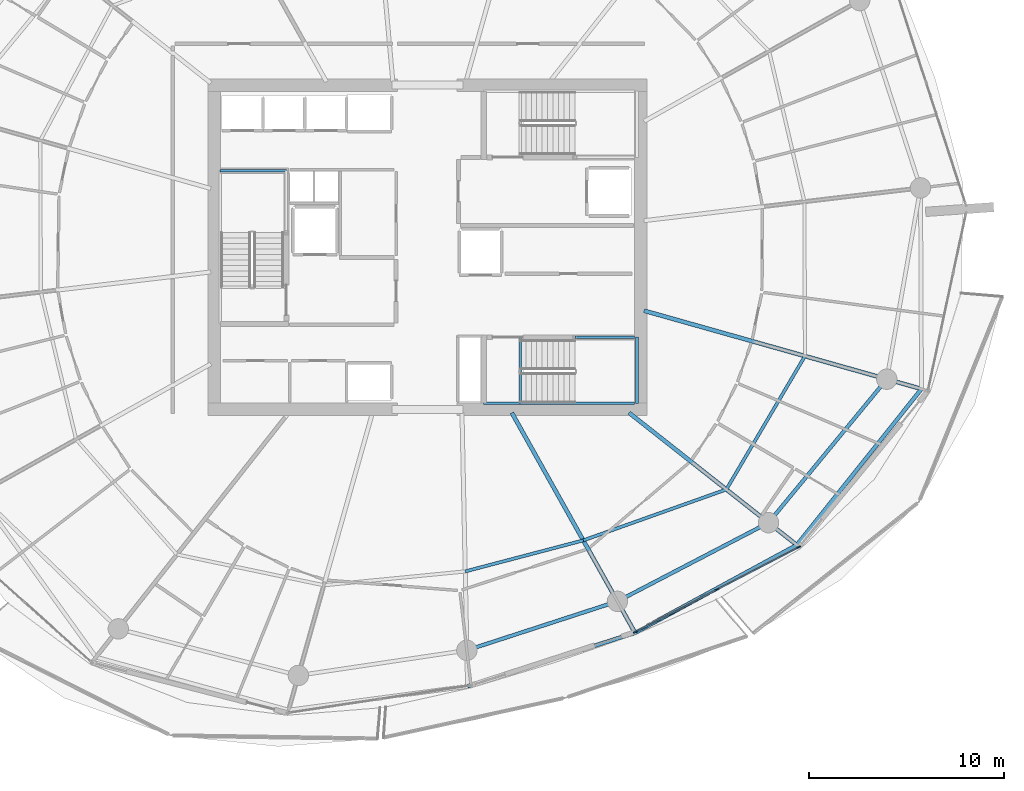
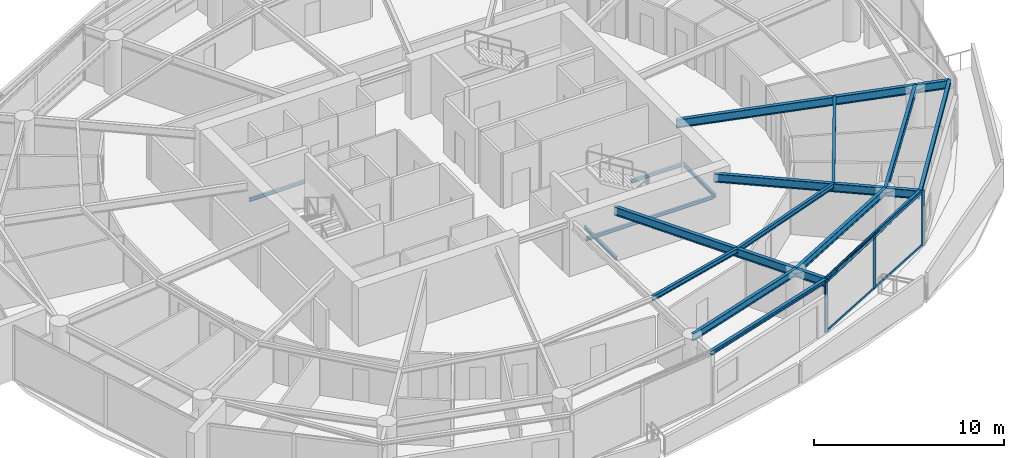
# One storey, part 6 of 20: 17 beams, 7 members, 1 element without a shape of its own.
"""IFC4 building model written with IfcOpenShell, lengths in metres."""

import ifcopenshell
import ifcopenshell.guid

model = None  # the IFC model being written
_history = None  # IfcOwnerHistory: only IFC2X3 demands one
_inside = {}  # id of a spatial element -> (the spatial element, [elements in it])
_under = {}  # id of a project, library or spatial element -> (it, [spatial elements below it])
_declared = {}  # id of a project -> (the project, [libraries it declares])
_typed = {}  # id of a type object -> (the type object, [elements of that type])
_made_of = {}  # id of a material, layer set ... -> (it, [elements and type objects made of it])


def new_model(schema):
    """Start an empty IFC model of exactly this schema.

    Asked for "IFC4X3", IfcOpenShell would pick the latest addendum, in which some entities
    have other attributes; the version numbers below select the first issue.
    IFC2X3 requires an IfcOwnerHistory on every rooted entity: one is made here for all.
    """
    global model, _history
    if schema == "IFC4X3":
        model = ifcopenshell.file(schema_version=(4, 3, 0, 0))
    else:
        model = ifcopenshell.file(schema=schema)
    _inside.clear()
    _under.clear()
    _declared.clear()
    _typed.clear()
    _made_of.clear()
    _history = None
    if model.schema == "IFC2X3":
        org = make("IfcOrganization", Name="unknown")
        user = make(
            "IfcPersonAndOrganization",
            ThePerson=make("IfcPerson", FamilyName="unknown"),
            TheOrganization=org,
        )
        app = make(
            "IfcApplication",
            ApplicationDeveloper=org,
            Version="unknown",
            ApplicationFullName="unknown",
            ApplicationIdentifier="unknown",
        )
        _history = make(
            "IfcOwnerHistory",
            OwningUser=user,
            OwningApplication=app,
            ChangeAction="ADDED",
            CreationDate=0,
        )
    return model


def make(cls, **values):
    """One entity of the class cls with the attributes given. An attribute that is None is left unset."""
    return model.create_entity(
        cls, **{name: value for name, value in values.items() if value is not None}
    )


def rooted(cls, **values):
    """An entity with a GlobalId (a new one), such as an element, a storey or a relation."""
    return make(cls, GlobalId=ifcopenshell.guid.new(), OwnerHistory=_history, **values)


def si_unit(unit_type, name, prefix=None):
    """IfcSIUnit, for example si_unit("LENGTHUNIT", "METRE", prefix="MILLI")."""
    return make("IfcSIUnit", UnitType=unit_type, Prefix=prefix, Name=name)


def assignment(units):
    """IfcUnitAssignment: the units of a project."""
    return None if units is None else make("IfcUnitAssignment", Units=units)


def point(xyz):
    """IfcCartesianPoint."""
    return None if xyz is None else make("IfcCartesianPoint", Coordinates=xyz)


def direction(xyz):
    """IfcDirection."""
    return None if xyz is None else make("IfcDirection", DirectionRatios=xyz)


def frame(location, z_axis=None, x_axis=None):
    """IfcAxis2Placement3D, a coordinate frame: its origin and axes. An axis left out is left unset."""
    return make(
        "IfcAxis2Placement3D",
        Location=point(location),
        Axis=direction(z_axis),
        RefDirection=direction(x_axis),
    )


def frame_2d(location, x_axis=None):
    """IfcAxis2Placement2D, a coordinate frame in the plane: its origin and x axis."""
    return make(
        "IfcAxis2Placement2D", Location=point(location), RefDirection=direction(x_axis)
    )


def origin():
    """The frame at (0, 0, 0) with its axes left unset."""
    return frame((0.0, 0.0, 0.0))


def origin_2d():
    """The frame at (0, 0) in the plane with its x axis left unset."""
    return frame_2d((0.0, 0.0))


def place(relative_to, where):
    """IfcLocalPlacement: puts the frame where relative to a parent placement (None: the world)."""
    return make(
        "IfcLocalPlacement", PlacementRelTo=relative_to, RelativePlacement=where
    )


def context(
    kind, dimensions, precision=None, world=None, true_north=None, identifier=None
):
    """IfcGeometricRepresentationContext, for example the 3D "Model" context."""
    return make(
        "IfcGeometricRepresentationContext",
        ContextIdentifier=identifier,
        ContextType=kind,
        CoordinateSpaceDimension=dimensions,
        Precision=precision,
        WorldCoordinateSystem=world,
        TrueNorth=true_north,
    )


def subcontext(parent, identifier, kind, view, scale=None):
    """IfcGeometricRepresentationSubContext, for example "Body" below "Model"."""
    return make(
        "IfcGeometricRepresentationSubContext",
        ContextIdentifier=identifier,
        ContextType=kind,
        ParentContext=parent,
        TargetScale=scale,
        TargetView=view,
    )


def project(units=None, contexts=None):
    """IfcProject with its units and contexts."""
    return rooted(
        "IfcProject",
        Name="project",
        RepresentationContexts=contexts,
        UnitsInContext=assignment(units),
    )


def spatial(cls, under=None, at=None, **own):
    """A site, building, storey or space (cls), placed at a placement, below another one or the project."""
    s = rooted(cls, ObjectPlacement=at, **own)
    if under is not None:
        _under.setdefault(under.id(), (under, []))[1].append(s)
    return s


def profile(cls, at=None, kind="AREA", **sizes):
    """A parametric profile (cls). Its sizes go by their IFC names, for example OverallWidth=200.0."""
    return make(cls, ProfileType=kind, Position=at, **sizes)


def rectangle(**sizes):
    """IfcRectangleProfileDef."""
    return profile("IfcRectangleProfileDef", **sizes)


def i_section(**sizes):
    """IfcIShapeProfileDef."""
    return profile("IfcIShapeProfileDef", **sizes)


def extrude(swept, where, along, depth):
    """IfcExtrudedAreaSolid: the profile swept, set in the frame where, extruded along a direction by depth."""
    return make(
        "IfcExtrudedAreaSolid",
        SweptArea=swept,
        Position=where,
        ExtrudedDirection=direction(along),
        Depth=depth,
    )


def shape(context_of_items, identifier, shape_type, items):
    """IfcShapeRepresentation: the items that make up one representation, for example the "Body"."""
    return make(
        "IfcShapeRepresentation",
        ContextOfItems=context_of_items,
        RepresentationIdentifier=identifier,
        RepresentationType=shape_type,
        Items=items,
    )


def material(Name=None, Category=None):
    """IfcMaterial."""
    return make("IfcMaterial", Name=Name, Category=Category)


def layer(
    of_material, thickness, ventilated=None, Name=None, Category=None, Priority=None
):
    """IfcMaterialLayer: one layer of a wall or slab, of a material (None: an air gap)."""
    return make(
        "IfcMaterialLayer",
        Material=of_material,
        LayerThickness=thickness,
        IsVentilated=ventilated,
        Name=Name,
        Category=Category,
        Priority=Priority,
    )


def layer_set(layers, Name=None):
    """IfcMaterialLayerSet."""
    return make("IfcMaterialLayerSet", MaterialLayers=layers, LayerSetName=Name)


def material_profile(
    of_material, cross_section, Name=None, Category=None, Priority=None
):
    """IfcMaterialProfile: a cross section and its material."""
    return make(
        "IfcMaterialProfile",
        Name=Name,
        Material=of_material,
        Profile=cross_section,
        Priority=Priority,
        Category=Category,
    )


def profile_set(profiles, Name=None, composite=None):
    """IfcMaterialProfileSet."""
    return make(
        "IfcMaterialProfileSet",
        Name=Name,
        MaterialProfiles=profiles,
        CompositeProfile=composite,
    )


def made_of(thing, what):
    """Note that an element or type object is made of a material, layer set ...; save() writes the relation."""
    if what is not None:
        _made_of.setdefault(what.id(), (what, []))[1].append(thing)
    return thing


def type_object(cls, material=None, **own):
    """A type object (cls), such as IfcWallType, which elements share."""
    return made_of(rooted(cls, **own), material)


def element(
    cls,
    number,
    at=None,
    inside=None,
    cuts=None,
    type_object=None,
    material=None,
    context=None,
    identifier="Body",
    shape_type=None,
    held_by="IfcProductDefinitionShape",
    body=None,
    shapes=None,
    **own,
):
    """One element of the class cls, such as IfcWall. Its Tag is "e" and its number.

    at: its placement. inside: the storey or other place that contains it. cuts: it is an
    opening in that element (IfcRelVoidsElement). A single representation is given by context,
    identifier, shape_type and body (its items); several are given by shapes. held_by: the class
    of the entity that holds the representations. save() writes the other relations.
    """
    e = rooted(cls, Tag="e%d" % number, ObjectPlacement=at, **own)
    if body is not None:
        shapes = [shape(context, identifier, shape_type, body)]
    if shapes is not None:
        e.Representation = make(held_by, Representations=shapes)
    if inside is not None:
        _inside.setdefault(inside.id(), (inside, []))[1].append(e)
    if cuts is not None:
        rooted(
            "IfcRelVoidsElement", RelatingBuildingElement=cuts, RelatedOpeningElement=e
        )
    if type_object is not None:
        _typed.setdefault(type_object.id(), (type_object, []))[1].append(e)
    return made_of(e, material)


def aggregate(whole, parts):
    """IfcRelAggregates: a whole, such as a stair, and the parts it consists of."""
    return rooted("IfcRelAggregates", RelatingObject=whole, RelatedObjects=parts)


def save(model, path):
    """Write the relations noted so far, then the file.

    IfcRelAggregates (storeys below a building ...), IfcRelContainedInSpatialStructure (elements
    in a storey), IfcRelDefinesByType, IfcRelAssociatesMaterial and IfcRelDeclares: one each for
    every whole, place, type object, material and project.
    """
    for whole, parts in _under.values():
        aggregate(whole, parts)
    for where, things in _inside.values():
        rooted(
            "IfcRelContainedInSpatialStructure",
            RelatedElements=things,
            RelatingStructure=where,
        )
    for kind, things in _typed.values():
        rooted("IfcRelDefinesByType", RelatedObjects=things, RelatingType=kind)
    for what, things in _made_of.values():
        rooted("IfcRelAssociatesMaterial", RelatedObjects=things, RelatingMaterial=what)
    for by, libraries in _declared.values():
        rooted("IfcRelDeclares", RelatingContext=by, RelatedDefinitions=libraries)
    model.write(path)


model = new_model("IFC4")

# Units and contexts
model_context = context("Model", 3, precision=1e-05, world=origin(), true_north=direction((0.0, 1.0)))
body_context = subcontext(model_context, "Body", "Model", "MODEL_VIEW")
ifc_project = project(units=[si_unit("LENGTHUNIT", "METRE"), si_unit("AREAUNIT", "SQUARE_METRE"), si_unit("VOLUMEUNIT", "CUBIC_METRE"), si_unit("PLANEANGLEUNIT", "RADIAN"), si_unit("MASSUNIT", "GRAM", prefix="KILO")], contexts=[model_context])

# Site, building, storey
site_placement = place(None, origin())
site = spatial("IfcSite", under=ifc_project, at=site_placement, CompositionType="ELEMENT")
building_placement = place(site_placement, origin())
building = spatial("IfcBuilding", under=site, at=building_placement, Name="Kazma Halo Residences", CompositionType="ELEMENT")
storey_placement = place(building_placement, frame((0.0, 0.0, 217.800048828125)))
storey = spatial("IfcBuildingStorey", under=building, at=storey_placement, Name="L55", CompositionType="ELEMENT", Elevation=217.800048828125)

# Beams
ifc_material_1 = material(Name="Steel S355", Category="steel")
ifc_material_profile_1 = material_profile(ifc_material_1, i_section(OverallWidth=0.201904296875, OverallDepth=0.2470703125, WebThickness=0.00732421875, FlangeThickness=0.010986328125, FilletRadius=0.011962890625, at=origin_2d()), Name="W250x49.1")
ifc_profile_set_1 = profile_set([ifc_material_profile_1], Name="Steel S355")
beam_type_1 = type_object("IfcBeamType", Name="BM-BAL-CANT", PredefinedType="BEAM", material=ifc_profile_set_1)
beam_1_placement = place(storey_placement, frame((50.48779296875, 19.45068359375, 3.37646484375), z_axis=(0.952538666424, 0.30441762263, 0.0), x_axis=(-0.30441762263, 0.952538666424, 0.0)))
element("IfcBeam", 1, at=beam_1_placement, inside=storey, type_object=beam_type_1, Name="L55 wave-balcony tie beam 12", PredefinedType="BEAM", context=body_context, shape_type="SweptSolid", body=[
    extrude(i_section(OverallWidth=0.201904296875, OverallDepth=0.2470703125, WebThickness=0.00732421875, FlangeThickness=0.010986328125, FilletRadius=0.011962890625, at=origin_2d()), origin(), (0.0, 0.0, 1.0), 9.029541015625),
])
beam_2_placement = place(storey_placement, frame((59.0888671875, 22.199462890625, 3.37646484375), z_axis=(0.878890557257, 0.477023467309, 0.0), x_axis=(-0.477023467309, 0.878890557257, 0.0)))
element("IfcBeam", 2, at=beam_2_placement, inside=storey, type_object=beam_type_1, Name="L55 wave-balcony tie beam 13", PredefinedType="BEAM", context=body_context, shape_type="SweptSolid", body=[
    extrude(i_section(OverallWidth=0.201904296875, OverallDepth=0.2470703125, WebThickness=0.00732421875, FlangeThickness=0.010986328125, FilletRadius=0.011962890625, at=origin_2d()), origin(), (0.0, 0.0, 1.0), 9.452880859375),
])
beam_3_placement = place(storey_placement, frame((67.39697265625, 26.708740234375, 3.37646484375), z_axis=(0.624195724924, 0.781268005864, 0.0), x_axis=(-0.781268005864, 0.624195724924, 0.0)))
element("IfcBeam", 3, at=beam_3_placement, inside=storey, type_object=beam_type_1, Name="L55 wave-balcony tie beam 14", PredefinedType="BEAM", context=body_context, shape_type="SweptSolid", body=[
    extrude(i_section(OverallWidth=0.201904296875, OverallDepth=0.2470703125, WebThickness=0.00732421875, FlangeThickness=0.010986328125, FilletRadius=0.011962890625, at=origin_2d()), origin(), (0.0, 0.0, 1.0), 10.258544921875),
])
ifc_material_profile_2 = material_profile(ifc_material_1, i_section(OverallWidth=0.208984375, OverallDepth=0.532958984375, WebThickness=0.01025390625, FlangeThickness=0.015625, FilletRadius=0.01611328125, at=origin_2d()), Name="W530x92")
ifc_profile_set_2 = profile_set([ifc_material_profile_2], Name="Steel S355")
beam_type_2 = type_object("IfcBeamType", Name="BM-RAD-W530", PredefinedType="BEAM", material=ifc_profile_set_2)
beam_4_placement = place(storey_placement, frame((52.76025390625, 33.5, 3.2333984375), z_axis=(0.488621736368, -0.872495729931, 0.0), x_axis=(0.872495729931, 0.488621736368, 0.0)))
element("IfcBeam", 4, at=beam_4_placement, inside=storey, type_object=beam_type_2, Name="L55 radial floor beam 13", PredefinedType="BEAM", context=body_context, shape_type="SweptSolid", body=[
    extrude(i_section(OverallWidth=0.208984375, OverallDepth=0.532958984375, WebThickness=0.01025390625, FlangeThickness=0.015625, FilletRadius=0.01611328125, at=origin_2d()), origin(), (0.0, 0.0, 1.0), 12.951904296875),
])
beam_5_placement = place(storey_placement, frame((58.7822265625, 33.5, 3.2333984375), z_axis=(0.785319521624, -0.619090662954, 0.0), x_axis=(0.619090662954, 0.785319521624, 0.0)))
element("IfcBeam", 5, at=beam_5_placement, inside=storey, type_object=beam_type_2, Name="L55 radial floor beam 14", PredefinedType="BEAM", context=body_context, shape_type="SweptSolid", body=[
    extrude(i_section(OverallWidth=0.208984375, OverallDepth=0.532958984375, WebThickness=0.01025390625, FlangeThickness=0.015625, FilletRadius=0.01611328125, at=origin_2d()), origin(), (0.0, 0.0, 1.0), 10.9697265625),
])
beam_6_placement = place(storey_placement, frame((59.550048828125, 38.74267578125, 3.2333984375), z_axis=(0.962449896911, -0.271459381741, 0.0), x_axis=(0.271459381741, 0.962449896911, 0.0)))
element("IfcBeam", 6, at=beam_6_placement, inside=storey, type_object=beam_type_2, Name="L55 radial floor beam 15", PredefinedType="BEAM", context=body_context, shape_type="SweptSolid", body=[
    extrude(i_section(OverallWidth=0.208984375, OverallDepth=0.532958984375, WebThickness=0.01025390625, FlangeThickness=0.015625, FilletRadius=0.01611328125, at=origin_2d()), origin(), (0.0, 0.0, 1.0), 14.80615234375),
])
ifc_material_profile_3 = material_profile(ifc_material_1, i_section(OverallWidth=0.1650390625, OverallDepth=0.31005859375, WebThickness=0.005859375, FlangeThickness=0.009765625, FilletRadius=0.011962890625, at=origin_2d()), Name="W310x38.7")
ifc_profile_set_3 = profile_set([ifc_material_profile_3], Name="Steel S355")
beam_type_3 = type_object("IfcBeamType", Name="BM-SEC-W310B", PredefinedType="JOIST", material=ifc_profile_set_3)
beam_7_placement = place(storey_placement, frame((50.366943359375, 25.3515625, 3.344970703125), z_axis=(0.967135034863, 0.254263297273, 0.0), x_axis=(-0.254263297273, 0.967135034863, 0.0)))
element("IfcBeam", 7, at=beam_7_placement, inside=storey, type_object=beam_type_3, Name="L55 circumferential floor joist 12", PredefinedType="JOIST", context=body_context, shape_type="SweptSolid", body=[
    extrude(i_section(OverallWidth=0.1650390625, OverallDepth=0.31005859375, WebThickness=0.005859375, FlangeThickness=0.009765625, FilletRadius=0.011962890625, at=origin_2d()), origin(), (0.0, 0.0, 1.0), 6.27001953125),
])
beam_8_placement = place(storey_placement, frame((56.430908203125, 26.94580078125, 3.344970703125), z_axis=(0.942107492186, 0.335311009612, 0.0), x_axis=(-0.335311009612, 0.942107492186, 0.0)))
element("IfcBeam", 8, at=beam_8_placement, inside=storey, type_object=beam_type_3, Name="L55 circumferential floor joist 13", PredefinedType="JOIST", context=body_context, shape_type="SweptSolid", body=[
    extrude(i_section(OverallWidth=0.1650390625, OverallDepth=0.31005859375, WebThickness=0.005859375, FlangeThickness=0.009765625, FilletRadius=0.011962890625, at=origin_2d()), origin(), (0.0, 0.0, 1.0), 7.79931640625),
])
beam_9_placement = place(storey_placement, frame((63.77880859375, 29.56103515625, 3.344970703125), z_axis=(0.507638586433, 0.861570116453, 0.0), x_axis=(-0.861570116453, 0.507638586433, 0.0)))
element("IfcBeam", 9, at=beam_9_placement, inside=storey, type_object=beam_type_3, Name="L55 circumferential floor joist 14", PredefinedType="JOIST", context=body_context, shape_type="SweptSolid", body=[
    extrude(i_section(OverallWidth=0.1650390625, OverallDepth=0.31005859375, WebThickness=0.005859375, FlangeThickness=0.009765625, FilletRadius=0.011962890625, at=origin_2d()), origin(), (0.0, 0.0, 1.0), 7.951171875),
])
ifc_material_profile_4 = material_profile(ifc_material_1, i_section(OverallWidth=0.18994140625, OverallDepth=0.45703125, WebThickness=0.009033203125, FlangeThickness=0.014404296875, FilletRadius=0.01611328125, at=origin_2d()), Name="W460x74")
ifc_profile_set_4 = profile_set([ifc_material_profile_4], Name="Steel S355")
beam_type_4 = type_object("IfcBeamType", Name="BM-SPN-W460", PredefinedType="BEAM", material=ifc_profile_set_4)
beam_10_placement = place(storey_placement, frame((50.449951171875, 21.30029296875, 3.271484375), z_axis=(0.951048627281, 0.30904127321, 0.0), x_axis=(-0.30904127321, 0.951048627281, 0.0)))
element("IfcBeam", 10, at=beam_10_placement, inside=storey, type_object=beam_type_4, Name="L55 perimeter ring beam 12", PredefinedType="BEAM", context=body_context, shape_type="SweptSolid", body=[
    extrude(i_section(OverallWidth=0.18994140625, OverallDepth=0.45703125, WebThickness=0.009033203125, FlangeThickness=0.014404296875, FilletRadius=0.01611328125, at=origin_2d()), origin(), (0.0, 0.0, 1.0), 8.133056640625),
])
beam_11_placement = place(storey_placement, frame((58.184814453125, 23.813720703125, 3.271484375), z_axis=(0.886961243394, 0.461843861838, 0.0), x_axis=(-0.461843861838, 0.886961243394, 0.0)))
element("IfcBeam", 11, at=beam_11_placement, inside=storey, type_object=beam_type_4, Name="L55 perimeter ring beam 13", PredefinedType="BEAM", context=body_context, shape_type="SweptSolid", body=[
    extrude(i_section(OverallWidth=0.18994140625, OverallDepth=0.45703125, WebThickness=0.009033203125, FlangeThickness=0.014404296875, FilletRadius=0.01611328125, at=origin_2d()), origin(), (0.0, 0.0, 1.0), 8.748046875),
])
beam_12_placement = place(storey_placement, frame((65.944091796875, 27.85400390625, 3.271484375), z_axis=(0.63601715545, 0.771674917289, 0.0), x_axis=(-0.771674917289, 0.63601715545, 0.0)))
element("IfcBeam", 12, at=beam_12_placement, inside=storey, type_object=beam_type_4, Name="L55 perimeter ring beam 14", PredefinedType="BEAM", context=body_context, shape_type="SweptSolid", body=[
    extrude(i_section(OverallWidth=0.18994140625, OverallDepth=0.45703125, WebThickness=0.009033203125, FlangeThickness=0.014404296875, FilletRadius=0.01611328125, at=origin_2d()), origin(), (0.0, 0.0, 1.0), 9.552734375),
])
ifc_material_profile_5 = material_profile(ifc_material_1, i_section(OverallWidth=0.133056640625, OverallDepth=0.20703125, WebThickness=0.005859375, FlangeThickness=0.00830078125, FilletRadius=0.010009765625, at=origin_2d()), Name="W200x26.6")
ifc_profile_set_5 = profile_set([ifc_material_profile_5], Name="Steel S355")
beam_type_5 = type_object("IfcBeamType", Name="BM-TRIM-W200", PredefinedType="BEAM", material=ifc_profile_set_5)
beam_13_placement = place(storey_placement, frame((53.199951171875, 34.0, -0.360107421875), z_axis=(0.0, 1.0, 0.0), x_axis=(-1.0, 0.0, 0.0)))
element("IfcBeam", 13, at=beam_13_placement, inside=storey, type_object=beam_type_5, Name="L55 ST-03 floor landing support beam", PredefinedType="BEAM", context=body_context, shape_type="SweptSolid", body=[
    extrude(i_section(OverallWidth=0.133056640625, OverallDepth=0.20703125, WebThickness=0.005859375, FlangeThickness=0.00830078125, FilletRadius=0.010009765625, at=origin_2d()), origin(), (0.0, 0.0, 1.0), 3.3798828125),
])
beam_14_placement = place(storey_placement, frame((37.780029296875, 45.93994140625, 1.570068359375), z_axis=(1.0, 0.0, 0.0), x_axis=(0.0, 1.0, 0.0)))
element("IfcBeam", 14, at=beam_14_placement, inside=storey, type_object=beam_type_5, Name="L55 ST-01 landing end wall ledger", PredefinedType="BEAM", context=body_context, shape_type="SweptSolid", body=[
    extrude(i_section(OverallWidth=0.133056640625, OverallDepth=0.20703125, WebThickness=0.005859375, FlangeThickness=0.00830078125, FilletRadius=0.010009765625, at=origin_2d()), origin(), (0.0, 0.0, 1.0), 3.39990234375),
])
beam_15_placement = place(storey_placement, frame((51.31005859375, 33.97998046875, 1.570068359375), z_axis=(1.0, 0.0, 0.0), x_axis=(0.0, 1.0, 0.0)))
element("IfcBeam", 15, at=beam_15_placement, inside=storey, type_object=beam_type_5, Name="L55 ST-03 landing south wall ledger", PredefinedType="BEAM", context=body_context, shape_type="SweptSolid", body=[
    extrude(i_section(OverallWidth=0.133056640625, OverallDepth=0.20703125, WebThickness=0.005859375, FlangeThickness=0.00830078125, FilletRadius=0.010009765625, at=origin_2d()), origin(), (0.0, 0.0, 1.0), 7.760009765625),
])
beam_16_placement = place(storey_placement, frame((56.0, 37.3798828125, 1.570068359375), z_axis=(1.0, 0.0, 0.0), x_axis=(0.0, 1.0, 0.0)))
element("IfcBeam", 16, at=beam_16_placement, inside=storey, type_object=beam_type_5, Name="L55 ST-03 landing north wall ledger", PredefinedType="BEAM", context=body_context, shape_type="SweptSolid", body=[
    extrude(i_section(OverallWidth=0.133056640625, OverallDepth=0.20703125, WebThickness=0.005859375, FlangeThickness=0.00830078125, FilletRadius=0.010009765625, at=origin_2d()), origin(), (0.0, 0.0, 1.0), 3.070068359375),
])
beam_17_placement = place(storey_placement, frame((59.18994140625, 33.97998046875, 1.570068359375), z_axis=(0.0, 1.0, 0.0), x_axis=(-1.0, 0.0, 0.0)))
element("IfcBeam", 17, at=beam_17_placement, inside=storey, type_object=beam_type_5, Name="L55 ST-03 landing end wall ledger", PredefinedType="BEAM", context=body_context, shape_type="SweptSolid", body=[
    extrude(i_section(OverallWidth=0.133056640625, OverallDepth=0.20703125, WebThickness=0.005859375, FlangeThickness=0.00830078125, FilletRadius=0.010009765625, at=origin_2d()), origin(), (0.0, 0.0, 1.0), 3.39990234375),
])

# Curtain wall, members
ifc_material_2 = material(Name="Aluminium AW-6063 T6 and Triple-Silver Low-E Glass", Category="aluminium")
ifc_layer = layer(ifc_material_2, 0.219970703125)
ifc_layer_set = layer_set([ifc_layer], Name="Aluminium AW-6063 T6 and Triple-Silver Low-E Glass")
curtain_wall_type = type_object("IfcCurtainWallType", Name="CW-SYS-4", PredefinedType="NOTDEFINED", material=ifc_layer_set)
curtain_wall_placement = place(storey_placement, origin())
curtain_wall = element("IfcCurtainWall", 18, at=curtain_wall_placement, inside=storey, type_object=curtain_wall_type, Name="L55 unitised curtain wall B13", PredefinedType="NOTDEFINED")
ifc_material_3 = material(Name="Aluminium AW-6063 T6", Category="aluminium")
ifc_material_profile_6 = material_profile(ifc_material_3, rectangle(XDim=0.074951171875, YDim=0.219970703125, at=origin_2d()), Name="CWM-75x220")
ifc_profile_set_6 = profile_set([ifc_material_profile_6], Name="Aluminium AW-6063 T6")
member_type_1 = type_object("IfcMemberType", Name="CW-SYS-4-MUL", PredefinedType="MULLION", material=ifc_profile_set_6)
member_1_placement = place(storey_placement, frame((59.105712890625, 22.24609375, 0.0), z_axis=(0.0, 0.0, 1.0), x_axis=(-0.460873851097, 0.887465657575, 0.0)))
member_1 = element("IfcMember", 19, at=member_1_placement, type_object=member_type_1, Name="CWS-4 mullion 1", PredefinedType="MULLION", context=body_context, shape_type="SweptSolid", body=[
    extrude(rectangle(XDim=0.074951171875, YDim=0.219970703125, at=origin_2d()), origin(), (0.0, 0.0, 1.0), 3.5),
])
member_2_placement = place(storey_placement, frame((63.294677734375, 24.421630859375, 0.0), z_axis=(0.0, 0.0, 1.0), x_axis=(-0.460873851097, 0.887465657575, 0.0)))
member_2 = element("IfcMember", 20, at=member_2_placement, type_object=member_type_1, Name="CWS-4 mullion 2", PredefinedType="MULLION", context=body_context, shape_type="SweptSolid", body=[
    extrude(rectangle(XDim=0.074951171875, YDim=0.219970703125, at=origin_2d()), origin(), (0.0, 0.0, 1.0), 3.5),
])
member_3_placement = place(storey_placement, frame((67.4833984375, 26.596923828125, 0.0), z_axis=(0.0, 0.0, 1.0), x_axis=(-0.460873851097, 0.887465657575, 0.0)))
member_3 = element("IfcMember", 21, at=member_3_placement, type_object=member_type_1, Name="CWS-4 mullion 3", PredefinedType="MULLION", context=body_context, shape_type="SweptSolid", body=[
    extrude(rectangle(XDim=0.074951171875, YDim=0.219970703125, at=origin_2d()), origin(), (0.0, 0.0, 1.0), 3.5),
])
ifc_material_profile_7 = material_profile(ifc_material_3, rectangle(XDim=0.074951171875, YDim=0.1650390625, at=origin_2d()), Name="CWT-75x165")
ifc_profile_set_7 = profile_set([ifc_material_profile_7], Name="Aluminium AW-6063 T6")
member_type_2 = type_object("IfcMemberType", Name="CW-SYS-4-TRN", PredefinedType="USERDEFINED", material=ifc_profile_set_7)
member_4_placement = place(storey_placement, frame((59.138916015625, 22.263427734375, 0.037353515625), z_axis=(0.887457630519, 0.460889307789, 0.0), x_axis=(-0.460889307789, 0.887457630519, 0.0)))
member_4 = element("IfcMember", 22, at=member_4_placement, type_object=member_type_2, Name="CWS-4 transom 1.1", ObjectType="TRANSOM", PredefinedType="USERDEFINED", context=body_context, shape_type="SweptSolid", body=[
    extrude(rectangle(XDim=0.074951171875, YDim=0.1650390625, at=origin_2d()), origin(), (0.0, 0.0, 1.0), 4.64501953125),
])
member_5_placement = place(storey_placement, frame((59.138916015625, 22.263427734375, 3.46240234375), z_axis=(0.887457630519, 0.460889307789, 0.0), x_axis=(-0.460889307789, 0.887457630519, 0.0)))
member_5 = element("IfcMember", 23, at=member_5_placement, type_object=member_type_2, Name="CWS-4 transom 1.2", ObjectType="TRANSOM", PredefinedType="USERDEFINED", context=body_context, shape_type="SweptSolid", body=[
    extrude(rectangle(XDim=0.074951171875, YDim=0.1650390625, at=origin_2d()), origin(), (0.0, 0.0, 1.0), 4.64501953125),
])
member_6_placement = place(storey_placement, frame((63.327880859375, 24.438720703125, 0.037353515625), z_axis=(0.887457630519, 0.460889307789, 0.0), x_axis=(-0.460889307789, 0.887457630519, 0.0)))
member_6 = element("IfcMember", 24, at=member_6_placement, type_object=member_type_2, Name="CWS-4 transom 2.1", ObjectType="TRANSOM", PredefinedType="USERDEFINED", context=body_context, shape_type="SweptSolid", body=[
    extrude(rectangle(XDim=0.074951171875, YDim=0.1650390625, at=origin_2d()), origin(), (0.0, 0.0, 1.0), 4.64501953125),
])
member_7_placement = place(storey_placement, frame((63.327880859375, 24.438720703125, 3.46240234375), z_axis=(0.887457630519, 0.460889307789, 0.0), x_axis=(-0.460889307789, 0.887457630519, 0.0)))
member_7 = element("IfcMember", 25, at=member_7_placement, type_object=member_type_2, Name="CWS-4 transom 2.2", ObjectType="TRANSOM", PredefinedType="USERDEFINED", context=body_context, shape_type="SweptSolid", body=[
    extrude(rectangle(XDim=0.074951171875, YDim=0.1650390625, at=origin_2d()), origin(), (0.0, 0.0, 1.0), 4.64501953125),
])
aggregate(curtain_wall, [member_1, member_2, member_3, member_4, member_5, member_6, member_7])

save(model, "model.ifc")
